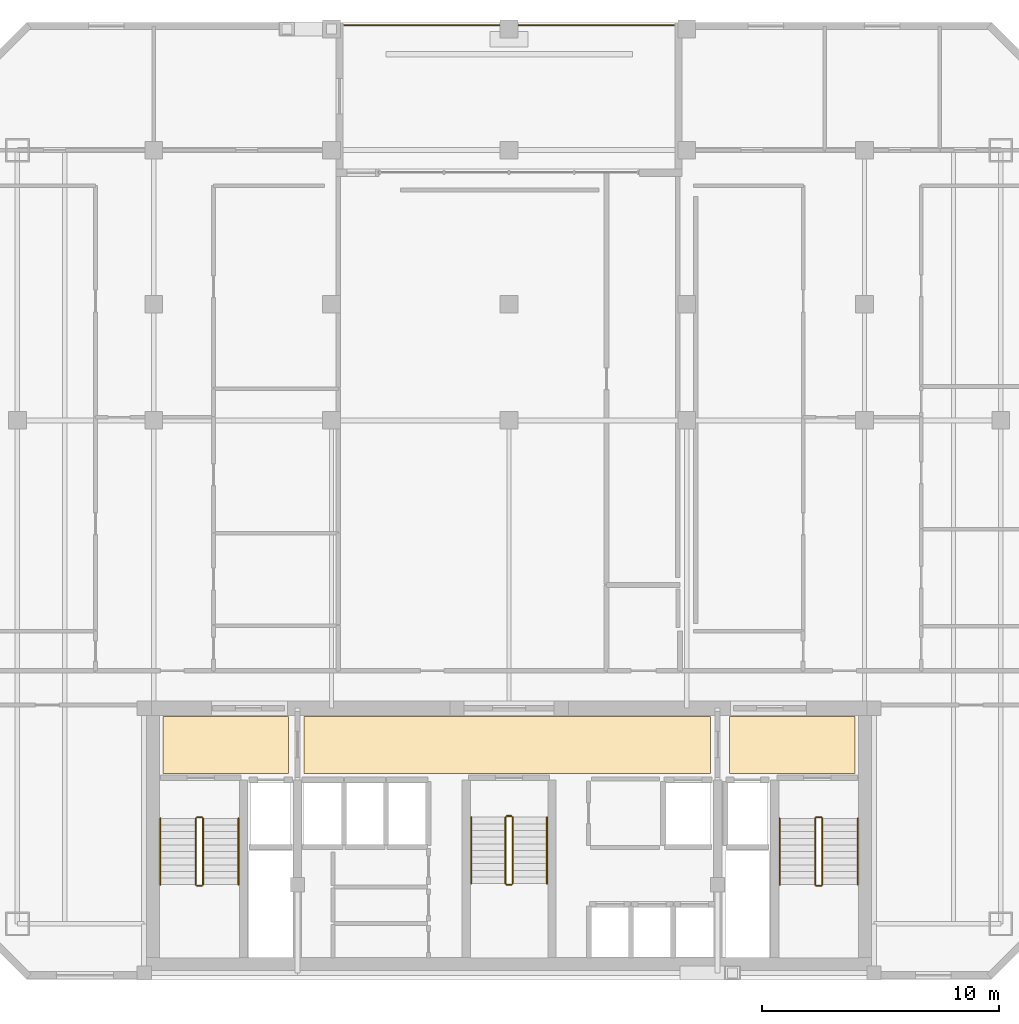
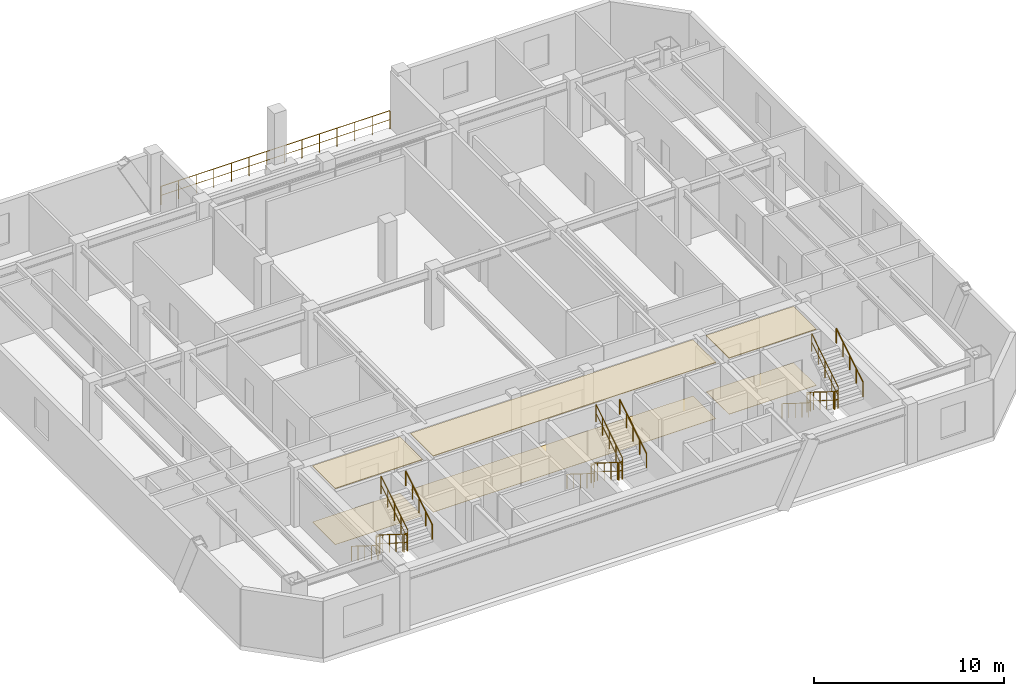
# One storey, part 9 of 9: 19 railings, 6 coverings.
"""IFC4 building model written with IfcOpenShell, lengths in metres."""

from ifc_helpers import new_model, si_unit, direction, frame, origin, origin_2d, place, context, subcontext, project, spatial, polyline, circle, outline, extrude, material, layer, layer_set, type_object, element, save


model = new_model("IFC4")

# Units and contexts
model_context = context("Model", 3, precision=1e-05, world=origin(), true_north=direction((0.0, 1.0)))
body_context = subcontext(model_context, "Body", "Model", "MODEL_VIEW")
ifc_project = project(units=[si_unit("LENGTHUNIT", "METRE"), si_unit("AREAUNIT", "SQUARE_METRE"), si_unit("VOLUMEUNIT", "CUBIC_METRE"), si_unit("PLANEANGLEUNIT", "RADIAN"), si_unit("MASSUNIT", "GRAM", prefix="KILO")], contexts=[model_context])

# Site, building, storey
site_placement = place(None, origin())
site = spatial("IfcSite", under=ifc_project, at=site_placement, CompositionType="ELEMENT")
building_placement = place(site_placement, origin())
building = spatial("IfcBuilding", under=site, at=building_placement, Name="Ventersveld Concourse Tower", CompositionType="ELEMENT")
storey_placement = place(building_placement, frame((0.0, 0.0, 204.14990234375)))
storey = spatial("IfcBuildingStorey", under=building, at=storey_placement, Name="L50", CompositionType="ELEMENT", Elevation=204.14990234375)

# Coverings
ifc_material_1 = material(Name="Mineral-fibre acoustic ceiling tile", Category="gypsum")
ifc_layer_1 = layer(ifc_material_1, 0.0400390625)
ifc_layer_set_1 = layer_set([ifc_layer_1], Name="Mineral-fibre acoustic ceiling tile")
covering_type_1 = type_object("IfcCoveringType", Name="COV-CEIL-ACOUSTIC", PredefinedType="CEILING", material=ifc_layer_set_1)
covering_1_placement = place(storey_placement, frame((0.0, 0.0, 3.590087890625)))
element("IfcCovering", 1, at=covering_1_placement, inside=storey, type_object=covering_type_1, Name="L50 North Lift Lobby Acoustic Ceiling", PredefinedType="CEILING", context=body_context, shape_type="SweptSolid", body=[
    extrude(outline(polyline([(20.10009765625, 8.699951171875), (37.25, 8.699951171875), (37.25, 11.10009765625), (20.10009765625, 11.10009765625), (20.10009765625, 8.699951171875)])), origin(), (0.0, 0.0, 1.0), 0.0400390625),
])
covering_2_placement = place(storey_placement, frame((0.0, 0.0, 3.590087890625)))
element("IfcCovering", 2, at=covering_2_placement, inside=storey, type_object=covering_type_1, Name="L50 West Firefighting Lobby Acoustic Ceiling", PredefinedType="CEILING", context=body_context, shape_type="SweptSolid", body=[
    extrude(outline(polyline([(14.14990234375, 8.699951171875), (19.449951171875, 8.699951171875), (19.449951171875, 11.10009765625), (14.14990234375, 11.10009765625), (14.14990234375, 8.699951171875)])), origin(), (0.0, 0.0, 1.0), 0.0400390625),
])
covering_3_placement = place(storey_placement, frame((0.0, 0.0, 3.590087890625)))
element("IfcCovering", 3, at=covering_3_placement, inside=storey, type_object=covering_type_1, Name="L50 East Firefighting Lobby Acoustic Ceiling", PredefinedType="CEILING", context=body_context, shape_type="SweptSolid", body=[
    extrude(outline(polyline([(38.050048828125, 8.699951171875), (43.35009765625, 8.699951171875), (43.35009765625, 11.10009765625), (38.050048828125, 11.10009765625), (38.050048828125, 8.699951171875)])), origin(), (0.0, 0.0, 1.0), 0.0400390625),
])
ifc_material_2 = material(Name="Polished Highveld granite terrazzo", Category="masonry")
ifc_layer_2 = layer(ifc_material_2, 0.02001953125)
ifc_layer_set_2 = layer_set([ifc_layer_2], Name="Polished Highveld granite terrazzo")
covering_type_2 = type_object("IfcCoveringType", Name="COV-FLOOR-TERRAZZO", PredefinedType="FLOORING", material=ifc_layer_set_2)
covering_4_placement = place(storey_placement, origin())
element("IfcCovering", 4, at=covering_4_placement, inside=storey, type_object=covering_type_2, Name="L50 North Lift Lobby Terrazzo Flooring", PredefinedType="FLOORING", context=body_context, shape_type="SweptSolid", body=[
    extrude(outline(polyline([(20.10009765625, 8.699951171875), (37.25, 8.699951171875), (37.25, 11.10009765625), (20.10009765625, 11.10009765625), (20.10009765625, 8.699951171875)])), origin(), (0.0, 0.0, 1.0), 0.02001953125),
])
covering_5_placement = place(storey_placement, origin())
element("IfcCovering", 5, at=covering_5_placement, inside=storey, type_object=covering_type_2, Name="L50 West Firefighting Lobby Terrazzo Flooring", PredefinedType="FLOORING", context=body_context, shape_type="SweptSolid", body=[
    extrude(outline(polyline([(14.14990234375, 8.699951171875), (19.449951171875, 8.699951171875), (19.449951171875, 11.10009765625), (14.14990234375, 11.10009765625), (14.14990234375, 8.699951171875)])), origin(), (0.0, 0.0, 1.0), 0.02001953125),
])
covering_6_placement = place(storey_placement, origin())
element("IfcCovering", 6, at=covering_6_placement, inside=storey, type_object=covering_type_2, Name="L50 East Firefighting Lobby Terrazzo Flooring", PredefinedType="FLOORING", context=body_context, shape_type="SweptSolid", body=[
    extrude(outline(polyline([(38.050048828125, 8.699951171875), (43.35009765625, 8.699951171875), (43.35009765625, 11.10009765625), (38.050048828125, 11.10009765625), (38.050048828125, 8.699951171875)])), origin(), (0.0, 0.0, 1.0), 0.02001953125),
])

# Railings
ifc_material_3 = material(Name="Brushed stainless steel 316", Category="steel")
railing_type_1 = type_object("IfcRailingType", Name="GD-BAL-115", PredefinedType="GUARDRAIL", material=ifc_material_3)
railing_1_placement = place(storey_placement, frame((15.530029296875, 6.800048828125, 0.175048828125)))
element("IfcRailing", 7, at=railing_1_placement, inside=storey, type_object=railing_type_1, Name="L50 ST-01 stair guard 1", PredefinedType="GUARDRAIL", context=body_context, shape_type="SweptSolid", body=[
    extrude(circle(Radius=0.02392578125, at=origin_2d()), frame((0.0, 0.0, 1.1259765625), z_axis=(0.0, -0.848002457836, 0.529992293815), x_axis=(1.0, 0.0, 0.0)), (0.0, 0.0, 1.0), 3.302001953125),
    extrude(circle(Radius=0.01611328125, at=origin_2d()), frame((0.0, 0.0, 0.574951171875), z_axis=(0.0, -0.848002457836, 0.529992293815), x_axis=(1.0, 0.0, 0.0)), (0.0, 0.0, 1.0), 3.302001953125),
    extrude(circle(Radius=0.02099609375, at=origin_2d()), origin(), (0.0, 0.0, 1.0), 1.101806640625),
    extrude(circle(Radius=0.02099609375, at=origin_2d()), frame((0.0, -0.699951171875, 0.4375)), (0.0, 0.0, 1.0), 1.101806640625),
    extrude(circle(Radius=0.02099609375, at=origin_2d()), frame((0.0, -1.39990234375, 0.875)), (0.0, 0.0, 1.0), 1.101806640625),
    extrude(circle(Radius=0.02099609375, at=origin_2d()), frame((0.0, -2.10009765625, 1.3125)), (0.0, 0.0, 1.0), 1.101806640625),
    extrude(circle(Radius=0.02099609375, at=origin_2d()), frame((0.0, -2.800048828125, 1.75)), (0.0, 0.0, 1.0), 1.101806640625),
])
railing_2_placement = place(storey_placement, frame((15.580078125, 3.949951171875, 1.925048828125)))
element("IfcRailing", 8, at=railing_2_placement, inside=storey, type_object=railing_type_1, Name="L50 ST-01 stair guard 2", PredefinedType="GUARDRAIL", context=body_context, shape_type="SweptSolid", body=[
    extrude(circle(Radius=0.02392578125, at=origin_2d()), frame((0.0, 0.0, 1.1259765625), z_axis=(1.0, 0.0, 0.0), x_axis=(0.0, 1.0, 0.0)), (0.0, 0.0, 1.0), 0.199951171875),
    extrude(circle(Radius=0.01611328125, at=origin_2d()), frame((0.0, 0.0, 0.574951171875), z_axis=(1.0, 0.0, 0.0), x_axis=(0.0, 1.0, 0.0)), (0.0, 0.0, 1.0), 0.199951171875),
    extrude(circle(Radius=0.02099609375, at=origin_2d()), origin(), (0.0, 0.0, 1.0), 1.101806640625),
    extrude(circle(Radius=0.02099609375, at=origin_2d()), frame((0.199951171875, 0.0, 0.0)), (0.0, 0.0, 1.0), 1.101806640625),
])
railing_3_placement = place(storey_placement, frame((15.830078125, 4.0, 2.10009765625)))
element("IfcRailing", 9, at=railing_3_placement, inside=storey, type_object=railing_type_1, Name="L50 ST-01 stair guard 3", PredefinedType="GUARDRAIL", context=body_context, shape_type="SweptSolid", body=[
    extrude(circle(Radius=0.02392578125, at=origin_2d()), frame((0.0, 0.0, 1.1259765625), z_axis=(0.0, 0.848002457836, 0.529992293815), x_axis=(-1.0, 0.0, 0.0)), (0.0, 0.0, 1.0), 3.302001953125),
    extrude(circle(Radius=0.01611328125, at=origin_2d()), frame((0.0, 0.0, 0.574951171875), z_axis=(0.0, 0.848002457836, 0.529992293815), x_axis=(-1.0, 0.0, 0.0)), (0.0, 0.0, 1.0), 3.302001953125),
    extrude(circle(Radius=0.02099609375, at=origin_2d()), origin(), (0.0, 0.0, 1.0), 1.101806640625),
    extrude(circle(Radius=0.02099609375, at=origin_2d()), frame((0.0, 0.699951171875, 0.4375)), (0.0, 0.0, 1.0), 1.101806640625),
    extrude(circle(Radius=0.02099609375, at=origin_2d()), frame((0.0, 1.39990234375, 0.875)), (0.0, 0.0, 1.0), 1.101806640625),
    extrude(circle(Radius=0.02099609375, at=origin_2d()), frame((0.0, 2.10009765625, 1.3125)), (0.0, 0.0, 1.0), 1.101806640625),
    extrude(circle(Radius=0.02099609375, at=origin_2d()), frame((0.0, 2.800048828125, 1.75)), (0.0, 0.0, 1.0), 1.101806640625),
])
railing_4_placement = place(storey_placement, frame((15.580078125, 6.85009765625, 0.0)))
element("IfcRailing", 10, at=railing_4_placement, inside=storey, type_object=railing_type_1, Name="L50 ST-01 stair guard 4", PredefinedType="GUARDRAIL", context=body_context, shape_type="SweptSolid", body=[
    extrude(circle(Radius=0.02392578125, at=origin_2d()), frame((0.0, 0.0, 1.1259765625), z_axis=(1.0, 0.0, 0.0), x_axis=(0.0, 1.0, 0.0)), (0.0, 0.0, 1.0), 0.199951171875),
    extrude(circle(Radius=0.01611328125, at=origin_2d()), frame((0.0, 0.0, 0.574951171875), z_axis=(1.0, 0.0, 0.0), x_axis=(0.0, 1.0, 0.0)), (0.0, 0.0, 1.0), 0.199951171875),
    extrude(circle(Radius=0.02099609375, at=origin_2d()), origin(), (0.0, 0.0, 1.0), 1.101806640625),
    extrude(circle(Radius=0.02099609375, at=origin_2d()), frame((0.199951171875, 0.0, 0.0)), (0.0, 0.0, 1.0), 1.101806640625),
])
railing_5_placement = place(storey_placement, frame((41.669921875, 6.800048828125, 0.175048828125)))
element("IfcRailing", 11, at=railing_5_placement, inside=storey, type_object=railing_type_1, Name="L50 ST-02 stair guard 1", PredefinedType="GUARDRAIL", context=body_context, shape_type="SweptSolid", body=[
    extrude(circle(Radius=0.02392578125, at=origin_2d()), frame((0.0, 0.0, 1.1259765625), z_axis=(0.0, -0.848002457836, 0.529992293815), x_axis=(1.0, 0.0, 0.0)), (0.0, 0.0, 1.0), 3.302001953125),
    extrude(circle(Radius=0.01611328125, at=origin_2d()), frame((0.0, 0.0, 0.574951171875), z_axis=(0.0, -0.848002457836, 0.529992293815), x_axis=(1.0, 0.0, 0.0)), (0.0, 0.0, 1.0), 3.302001953125),
    extrude(circle(Radius=0.02099609375, at=origin_2d()), origin(), (0.0, 0.0, 1.0), 1.101806640625),
    extrude(circle(Radius=0.02099609375, at=origin_2d()), frame((0.0, -0.699951171875, 0.4375)), (0.0, 0.0, 1.0), 1.101806640625),
    extrude(circle(Radius=0.02099609375, at=origin_2d()), frame((0.0, -1.39990234375, 0.875)), (0.0, 0.0, 1.0), 1.101806640625),
    extrude(circle(Radius=0.02099609375, at=origin_2d()), frame((0.0, -2.10009765625, 1.3125)), (0.0, 0.0, 1.0), 1.101806640625),
    extrude(circle(Radius=0.02099609375, at=origin_2d()), frame((0.0, -2.800048828125, 1.75)), (0.0, 0.0, 1.0), 1.101806640625),
])
railing_6_placement = place(storey_placement, frame((41.719970703125, 3.949951171875, 1.925048828125)))
element("IfcRailing", 12, at=railing_6_placement, inside=storey, type_object=railing_type_1, Name="L50 ST-02 stair guard 2", PredefinedType="GUARDRAIL", context=body_context, shape_type="SweptSolid", body=[
    extrude(circle(Radius=0.02392578125, at=origin_2d()), frame((0.0, 0.0, 1.1259765625), z_axis=(1.0, 0.0, 0.0), x_axis=(0.0, 1.0, 0.0)), (0.0, 0.0, 1.0), 0.199951171875),
    extrude(circle(Radius=0.01611328125, at=origin_2d()), frame((0.0, 0.0, 0.574951171875), z_axis=(1.0, 0.0, 0.0), x_axis=(0.0, 1.0, 0.0)), (0.0, 0.0, 1.0), 0.199951171875),
    extrude(circle(Radius=0.02099609375, at=origin_2d()), origin(), (0.0, 0.0, 1.0), 1.101806640625),
    extrude(circle(Radius=0.02099609375, at=origin_2d()), frame((0.199951171875, 0.0, 0.0)), (0.0, 0.0, 1.0), 1.101806640625),
])
railing_7_placement = place(storey_placement, frame((41.969970703125, 4.0, 2.10009765625)))
element("IfcRailing", 13, at=railing_7_placement, inside=storey, type_object=railing_type_1, Name="L50 ST-02 stair guard 3", PredefinedType="GUARDRAIL", context=body_context, shape_type="SweptSolid", body=[
    extrude(circle(Radius=0.02392578125, at=origin_2d()), frame((0.0, 0.0, 1.1259765625), z_axis=(0.0, 0.848002457836, 0.529992293815), x_axis=(-1.0, 0.0, 0.0)), (0.0, 0.0, 1.0), 3.302001953125),
    extrude(circle(Radius=0.01611328125, at=origin_2d()), frame((0.0, 0.0, 0.574951171875), z_axis=(0.0, 0.848002457836, 0.529992293815), x_axis=(-1.0, 0.0, 0.0)), (0.0, 0.0, 1.0), 3.302001953125),
    extrude(circle(Radius=0.02099609375, at=origin_2d()), origin(), (0.0, 0.0, 1.0), 1.101806640625),
    extrude(circle(Radius=0.02099609375, at=origin_2d()), frame((0.0, 0.699951171875, 0.4375)), (0.0, 0.0, 1.0), 1.101806640625),
    extrude(circle(Radius=0.02099609375, at=origin_2d()), frame((0.0, 1.39990234375, 0.875)), (0.0, 0.0, 1.0), 1.101806640625),
    extrude(circle(Radius=0.02099609375, at=origin_2d()), frame((0.0, 2.10009765625, 1.3125)), (0.0, 0.0, 1.0), 1.101806640625),
    extrude(circle(Radius=0.02099609375, at=origin_2d()), frame((0.0, 2.800048828125, 1.75)), (0.0, 0.0, 1.0), 1.101806640625),
])
railing_8_placement = place(storey_placement, frame((41.719970703125, 6.85009765625, 0.0)))
element("IfcRailing", 14, at=railing_8_placement, inside=storey, type_object=railing_type_1, Name="L50 ST-02 stair guard 4", PredefinedType="GUARDRAIL", context=body_context, shape_type="SweptSolid", body=[
    extrude(circle(Radius=0.02392578125, at=origin_2d()), frame((0.0, 0.0, 1.1259765625), z_axis=(1.0, 0.0, 0.0), x_axis=(0.0, 1.0, 0.0)), (0.0, 0.0, 1.0), 0.199951171875),
    extrude(circle(Radius=0.01611328125, at=origin_2d()), frame((0.0, 0.0, 0.574951171875), z_axis=(1.0, 0.0, 0.0), x_axis=(0.0, 1.0, 0.0)), (0.0, 0.0, 1.0), 0.199951171875),
    extrude(circle(Radius=0.02099609375, at=origin_2d()), origin(), (0.0, 0.0, 1.0), 1.101806640625),
    extrude(circle(Radius=0.02099609375, at=origin_2d()), frame((0.199951171875, 0.0, 0.0)), (0.0, 0.0, 1.0), 1.101806640625),
])
railing_9_placement = place(storey_placement, frame((28.60009765625, 6.85009765625, 0.175048828125)))
element("IfcRailing", 15, at=railing_9_placement, inside=storey, type_object=railing_type_1, Name="L50 ST-03 stair guard 1", PredefinedType="GUARDRAIL", context=body_context, shape_type="SweptSolid", body=[
    extrude(circle(Radius=0.02392578125, at=origin_2d()), frame((0.0, 0.0, 1.1259765625), z_axis=(0.0, -0.848002457836, 0.529992293815), x_axis=(1.0, 0.0, 0.0)), (0.0, 0.0, 1.0), 3.302001953125),
    extrude(circle(Radius=0.01611328125, at=origin_2d()), frame((0.0, 0.0, 0.574951171875), z_axis=(0.0, -0.848002457836, 0.529992293815), x_axis=(1.0, 0.0, 0.0)), (0.0, 0.0, 1.0), 3.302001953125),
    extrude(circle(Radius=0.02099609375, at=origin_2d()), origin(), (0.0, 0.0, 1.0), 1.101806640625),
    extrude(circle(Radius=0.02099609375, at=origin_2d()), frame((0.0, -0.699951171875, 0.4375)), (0.0, 0.0, 1.0), 1.101806640625),
    extrude(circle(Radius=0.02099609375, at=origin_2d()), frame((0.0, -1.39990234375, 0.875)), (0.0, 0.0, 1.0), 1.101806640625),
    extrude(circle(Radius=0.02099609375, at=origin_2d()), frame((0.0, -2.10009765625, 1.3125)), (0.0, 0.0, 1.0), 1.101806640625),
    extrude(circle(Radius=0.02099609375, at=origin_2d()), frame((0.0, -2.800048828125, 1.75)), (0.0, 0.0, 1.0), 1.101806640625),
])
railing_10_placement = place(storey_placement, frame((28.64990234375, 4.0, 1.925048828125)))
element("IfcRailing", 16, at=railing_10_placement, inside=storey, type_object=railing_type_1, Name="L50 ST-03 stair guard 2", PredefinedType="GUARDRAIL", context=body_context, shape_type="SweptSolid", body=[
    extrude(circle(Radius=0.02392578125, at=origin_2d()), frame((0.0, 0.0, 1.1259765625), z_axis=(1.0, 0.0, 0.0), x_axis=(0.0, 1.0, 0.0)), (0.0, 0.0, 1.0), 0.2001953125),
    extrude(circle(Radius=0.01611328125, at=origin_2d()), frame((0.0, 0.0, 0.574951171875), z_axis=(1.0, 0.0, 0.0), x_axis=(0.0, 1.0, 0.0)), (0.0, 0.0, 1.0), 0.2001953125),
    extrude(circle(Radius=0.02099609375, at=origin_2d()), origin(), (0.0, 0.0, 1.0), 1.101806640625),
    extrude(circle(Radius=0.02099609375, at=origin_2d()), frame((0.2001953125, 0.0, 0.0)), (0.0, 0.0, 1.0), 1.101806640625),
])
railing_11_placement = place(storey_placement, frame((28.89990234375, 4.050048828125, 2.10009765625)))
element("IfcRailing", 17, at=railing_11_placement, inside=storey, type_object=railing_type_1, Name="L50 ST-03 stair guard 3", PredefinedType="GUARDRAIL", context=body_context, shape_type="SweptSolid", body=[
    extrude(circle(Radius=0.02392578125, at=origin_2d()), frame((0.0, 0.0, 1.1259765625), z_axis=(0.0, 0.848002457836, 0.529992293815), x_axis=(-1.0, 0.0, 0.0)), (0.0, 0.0, 1.0), 3.302001953125),
    extrude(circle(Radius=0.01611328125, at=origin_2d()), frame((0.0, 0.0, 0.574951171875), z_axis=(0.0, 0.848002457836, 0.529992293815), x_axis=(-1.0, 0.0, 0.0)), (0.0, 0.0, 1.0), 3.302001953125),
    extrude(circle(Radius=0.02099609375, at=origin_2d()), origin(), (0.0, 0.0, 1.0), 1.101806640625),
    extrude(circle(Radius=0.02099609375, at=origin_2d()), frame((0.0, 0.699951171875, 0.4375)), (0.0, 0.0, 1.0), 1.101806640625),
    extrude(circle(Radius=0.02099609375, at=origin_2d()), frame((0.0, 1.39990234375, 0.875)), (0.0, 0.0, 1.0), 1.101806640625),
    extrude(circle(Radius=0.02099609375, at=origin_2d()), frame((0.0, 2.10009765625, 1.3125)), (0.0, 0.0, 1.0), 1.101806640625),
    extrude(circle(Radius=0.02099609375, at=origin_2d()), frame((0.0, 2.800048828125, 1.75)), (0.0, 0.0, 1.0), 1.101806640625),
])
railing_12_placement = place(storey_placement, frame((28.64990234375, 6.89990234375, 0.0)))
element("IfcRailing", 18, at=railing_12_placement, inside=storey, type_object=railing_type_1, Name="L50 ST-03 stair guard 4", PredefinedType="GUARDRAIL", context=body_context, shape_type="SweptSolid", body=[
    extrude(circle(Radius=0.02392578125, at=origin_2d()), frame((0.0, 0.0, 1.1259765625), z_axis=(1.0, 0.0, 0.0), x_axis=(0.0, 1.0, 0.0)), (0.0, 0.0, 1.0), 0.2001953125),
    extrude(circle(Radius=0.01611328125, at=origin_2d()), frame((0.0, 0.0, 0.574951171875), z_axis=(1.0, 0.0, 0.0), x_axis=(0.0, 1.0, 0.0)), (0.0, 0.0, 1.0), 0.2001953125),
    extrude(circle(Radius=0.02099609375, at=origin_2d()), origin(), (0.0, 0.0, 1.0), 1.101806640625),
    extrude(circle(Radius=0.02099609375, at=origin_2d()), frame((0.2001953125, 0.0, 0.0)), (0.0, 0.0, 1.0), 1.101806640625),
])
railing_type_2 = type_object("IfcRailingType", Name="GD-TER-120", PredefinedType="GUARDRAIL", material=ifc_material_3)
railing_13_placement = place(storey_placement, frame((21.800048828125, 40.280029296875, 0.0)))
element("IfcRailing", 19, at=railing_13_placement, inside=storey, type_object=railing_type_2, Name="L50 Outdoor Terrace Guardrail SKYGARDEN", PredefinedType="GUARDRAIL", context=body_context, shape_type="SweptSolid", body=[
    extrude(circle(Radius=0.02392578125, at=origin_2d()), frame((0.0, 0.0, 1.17578125), z_axis=(1.0, 0.0, 0.0), x_axis=(0.0, 1.0, 0.0)), (0.0, 0.0, 1.0), 13.89990234375),
    extrude(circle(Radius=0.01611328125, at=origin_2d()), frame((0.0, 0.0, 0.60009765625), z_axis=(1.0, 0.0, 0.0), x_axis=(0.0, 1.0, 0.0)), (0.0, 0.0, 1.0), 13.89990234375),
    extrude(circle(Radius=0.02099609375, at=origin_2d()), origin(), (0.0, 0.0, 1.0), 1.15185546875),
    extrude(circle(Radius=0.02099609375, at=origin_2d()), frame((1.0693359375, 0.0, 0.0)), (0.0, 0.0, 1.0), 1.15185546875),
    extrude(circle(Radius=0.02099609375, at=origin_2d()), frame((2.138427734375, 0.0, 0.0)), (0.0, 0.0, 1.0), 1.15185546875),
    extrude(circle(Radius=0.02099609375, at=origin_2d()), frame((3.207763671875, 0.0, 0.0)), (0.0, 0.0, 1.0), 1.15185546875),
    extrude(circle(Radius=0.02099609375, at=origin_2d()), frame((4.27685546875, 0.0, 0.0)), (0.0, 0.0, 1.0), 1.15185546875),
    extrude(circle(Radius=0.02099609375, at=origin_2d()), frame((5.34619140625, 0.0, 0.0)), (0.0, 0.0, 1.0), 1.15185546875),
    extrude(circle(Radius=0.02099609375, at=origin_2d()), frame((6.415283203125, 0.0, 0.0)), (0.0, 0.0, 1.0), 1.15185546875),
    extrude(circle(Radius=0.02099609375, at=origin_2d()), frame((7.484619140625, 0.0, 0.0)), (0.0, 0.0, 1.0), 1.15185546875),
    extrude(circle(Radius=0.02099609375, at=origin_2d()), frame((8.5537109375, 0.0, 0.0)), (0.0, 0.0, 1.0), 1.15185546875),
    extrude(circle(Radius=0.02099609375, at=origin_2d()), frame((9.623046875, 0.0, 0.0)), (0.0, 0.0, 1.0), 1.15185546875),
    extrude(circle(Radius=0.02099609375, at=origin_2d()), frame((10.692138671875, 0.0, 0.0)), (0.0, 0.0, 1.0), 1.15185546875),
    extrude(circle(Radius=0.02099609375, at=origin_2d()), frame((11.761474609375, 0.0, 0.0)), (0.0, 0.0, 1.0), 1.15185546875),
    extrude(circle(Radius=0.02099609375, at=origin_2d()), frame((12.83056640625, 0.0, 0.0)), (0.0, 0.0, 1.0), 1.15185546875),
    extrude(circle(Radius=0.02099609375, at=origin_2d()), frame((13.89990234375, 0.0, 0.0)), (0.0, 0.0, 1.0), 1.15185546875),
])
railing_type_3 = type_object("IfcRailingType", Name="HR-RMP-095", PredefinedType="HANDRAIL", material=ifc_material_3)
railing_14_placement = place(storey_placement, frame((14.030029296875, 6.800048828125, 0.175048828125)))
element("IfcRailing", 20, at=railing_14_placement, inside=storey, type_object=railing_type_3, Name="L50 ST-01 stair handrail 1", PredefinedType="HANDRAIL", context=body_context, shape_type="SweptSolid", body=[
    extrude(circle(Radius=0.02392578125, at=origin_2d()), frame((0.0, 0.0, 0.92578125), z_axis=(0.0, -0.848002457836, 0.529992293815), x_axis=(1.0, 0.0, 0.0)), (0.0, 0.0, 1.0), 3.302001953125),
    extrude(circle(Radius=0.02099609375, at=origin_2d()), origin(), (0.0, 0.0, 1.0), 0.90185546875),
    extrude(circle(Radius=0.02099609375, at=origin_2d()), frame((0.0, -0.699951171875, 0.4375)), (0.0, 0.0, 1.0), 0.90185546875),
    extrude(circle(Radius=0.02099609375, at=origin_2d()), frame((0.0, -1.39990234375, 0.875)), (0.0, 0.0, 1.0), 0.90185546875),
    extrude(circle(Radius=0.02099609375, at=origin_2d()), frame((0.0, -2.10009765625, 1.3125)), (0.0, 0.0, 1.0), 0.90185546875),
    extrude(circle(Radius=0.02099609375, at=origin_2d()), frame((0.0, -2.800048828125, 1.75)), (0.0, 0.0, 1.0), 0.90185546875),
])
railing_15_placement = place(storey_placement, frame((17.330078125, 4.0, 2.10009765625)))
element("IfcRailing", 21, at=railing_15_placement, inside=storey, type_object=railing_type_3, Name="L50 ST-01 stair handrail 2", PredefinedType="HANDRAIL", context=body_context, shape_type="SweptSolid", body=[
    extrude(circle(Radius=0.02392578125, at=origin_2d()), frame((0.0, 0.0, 0.92578125), z_axis=(0.0, 0.848002457836, 0.529992293815), x_axis=(-1.0, 0.0, 0.0)), (0.0, 0.0, 1.0), 3.302001953125),
    extrude(circle(Radius=0.02099609375, at=origin_2d()), origin(), (0.0, 0.0, 1.0), 0.90185546875),
    extrude(circle(Radius=0.02099609375, at=origin_2d()), frame((0.0, 0.699951171875, 0.4375)), (0.0, 0.0, 1.0), 0.90185546875),
    extrude(circle(Radius=0.02099609375, at=origin_2d()), frame((0.0, 1.39990234375, 0.875)), (0.0, 0.0, 1.0), 0.90185546875),
    extrude(circle(Radius=0.02099609375, at=origin_2d()), frame((0.0, 2.10009765625, 1.3125)), (0.0, 0.0, 1.0), 0.90185546875),
    extrude(circle(Radius=0.02099609375, at=origin_2d()), frame((0.0, 2.800048828125, 1.75)), (0.0, 0.0, 1.0), 0.90185546875),
])
railing_16_placement = place(storey_placement, frame((40.169921875, 6.800048828125, 0.175048828125)))
element("IfcRailing", 22, at=railing_16_placement, inside=storey, type_object=railing_type_3, Name="L50 ST-02 stair handrail 1", PredefinedType="HANDRAIL", context=body_context, shape_type="SweptSolid", body=[
    extrude(circle(Radius=0.02392578125, at=origin_2d()), frame((0.0, 0.0, 0.92578125), z_axis=(0.0, -0.848002457836, 0.529992293815), x_axis=(1.0, 0.0, 0.0)), (0.0, 0.0, 1.0), 3.302001953125),
    extrude(circle(Radius=0.02099609375, at=origin_2d()), origin(), (0.0, 0.0, 1.0), 0.90185546875),
    extrude(circle(Radius=0.02099609375, at=origin_2d()), frame((0.0, -0.699951171875, 0.4375)), (0.0, 0.0, 1.0), 0.90185546875),
    extrude(circle(Radius=0.02099609375, at=origin_2d()), frame((0.0, -1.39990234375, 0.875)), (0.0, 0.0, 1.0), 0.90185546875),
    extrude(circle(Radius=0.02099609375, at=origin_2d()), frame((0.0, -2.10009765625, 1.3125)), (0.0, 0.0, 1.0), 0.90185546875),
    extrude(circle(Radius=0.02099609375, at=origin_2d()), frame((0.0, -2.800048828125, 1.75)), (0.0, 0.0, 1.0), 0.90185546875),
])
railing_17_placement = place(storey_placement, frame((43.469970703125, 4.0, 2.10009765625)))
element("IfcRailing", 23, at=railing_17_placement, inside=storey, type_object=railing_type_3, Name="L50 ST-02 stair handrail 2", PredefinedType="HANDRAIL", context=body_context, shape_type="SweptSolid", body=[
    extrude(circle(Radius=0.02392578125, at=origin_2d()), frame((0.0, 0.0, 0.92578125), z_axis=(0.0, 0.848002457836, 0.529992293815), x_axis=(-1.0, 0.0, 0.0)), (0.0, 0.0, 1.0), 3.302001953125),
    extrude(circle(Radius=0.02099609375, at=origin_2d()), origin(), (0.0, 0.0, 1.0), 0.90185546875),
    extrude(circle(Radius=0.02099609375, at=origin_2d()), frame((0.0, 0.699951171875, 0.4375)), (0.0, 0.0, 1.0), 0.90185546875),
    extrude(circle(Radius=0.02099609375, at=origin_2d()), frame((0.0, 1.39990234375, 0.875)), (0.0, 0.0, 1.0), 0.90185546875),
    extrude(circle(Radius=0.02099609375, at=origin_2d()), frame((0.0, 2.10009765625, 1.3125)), (0.0, 0.0, 1.0), 0.90185546875),
    extrude(circle(Radius=0.02099609375, at=origin_2d()), frame((0.0, 2.800048828125, 1.75)), (0.0, 0.0, 1.0), 0.90185546875),
])
railing_18_placement = place(storey_placement, frame((27.14990234375, 6.85009765625, 0.175048828125)))
element("IfcRailing", 24, at=railing_18_placement, inside=storey, type_object=railing_type_3, Name="L50 ST-03 stair handrail 1", PredefinedType="HANDRAIL", context=body_context, shape_type="SweptSolid", body=[
    extrude(circle(Radius=0.02392578125, at=origin_2d()), frame((0.0, 0.0, 0.92578125), z_axis=(0.0, -0.848002457836, 0.529992293815), x_axis=(1.0, 0.0, 0.0)), (0.0, 0.0, 1.0), 3.302001953125),
    extrude(circle(Radius=0.02099609375, at=origin_2d()), origin(), (0.0, 0.0, 1.0), 0.90185546875),
    extrude(circle(Radius=0.02099609375, at=origin_2d()), frame((0.0, -0.699951171875, 0.4375)), (0.0, 0.0, 1.0), 0.90185546875),
    extrude(circle(Radius=0.02099609375, at=origin_2d()), frame((0.0, -1.39990234375, 0.875)), (0.0, 0.0, 1.0), 0.90185546875),
    extrude(circle(Radius=0.02099609375, at=origin_2d()), frame((0.0, -2.10009765625, 1.3125)), (0.0, 0.0, 1.0), 0.90185546875),
    extrude(circle(Radius=0.02099609375, at=origin_2d()), frame((0.0, -2.800048828125, 1.75)), (0.0, 0.0, 1.0), 0.90185546875),
])
railing_19_placement = place(storey_placement, frame((30.35009765625, 4.050048828125, 2.10009765625)))
element("IfcRailing", 25, at=railing_19_placement, inside=storey, type_object=railing_type_3, Name="L50 ST-03 stair handrail 2", PredefinedType="HANDRAIL", context=body_context, shape_type="SweptSolid", body=[
    extrude(circle(Radius=0.02392578125, at=origin_2d()), frame((0.0, 0.0, 0.92578125), z_axis=(0.0, 0.848002457836, 0.529992293815), x_axis=(-1.0, 0.0, 0.0)), (0.0, 0.0, 1.0), 3.302001953125),
    extrude(circle(Radius=0.02099609375, at=origin_2d()), origin(), (0.0, 0.0, 1.0), 0.90185546875),
    extrude(circle(Radius=0.02099609375, at=origin_2d()), frame((0.0, 0.699951171875, 0.4375)), (0.0, 0.0, 1.0), 0.90185546875),
    extrude(circle(Radius=0.02099609375, at=origin_2d()), frame((0.0, 1.39990234375, 0.875)), (0.0, 0.0, 1.0), 0.90185546875),
    extrude(circle(Radius=0.02099609375, at=origin_2d()), frame((0.0, 2.10009765625, 1.3125)), (0.0, 0.0, 1.0), 0.90185546875),
    extrude(circle(Radius=0.02099609375, at=origin_2d()), frame((0.0, 2.800048828125, 1.75)), (0.0, 0.0, 1.0), 0.90185546875),
])

save(model, "model.ifc")
